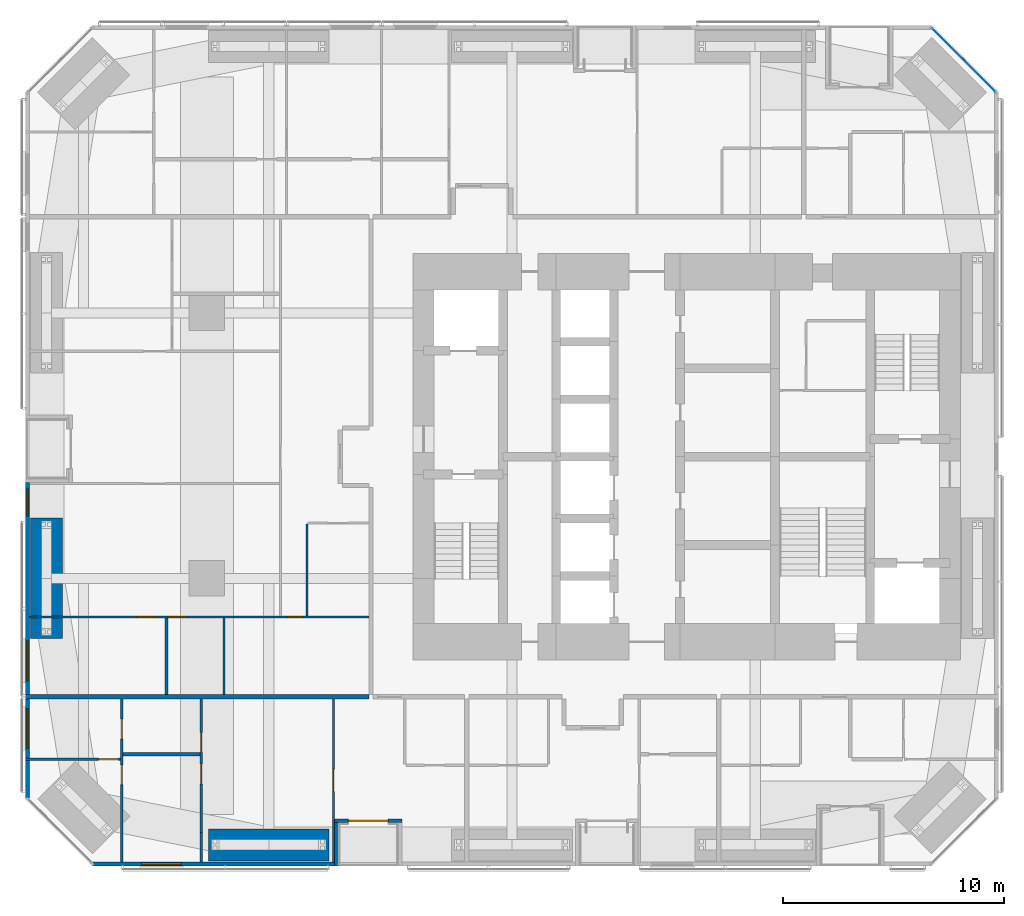
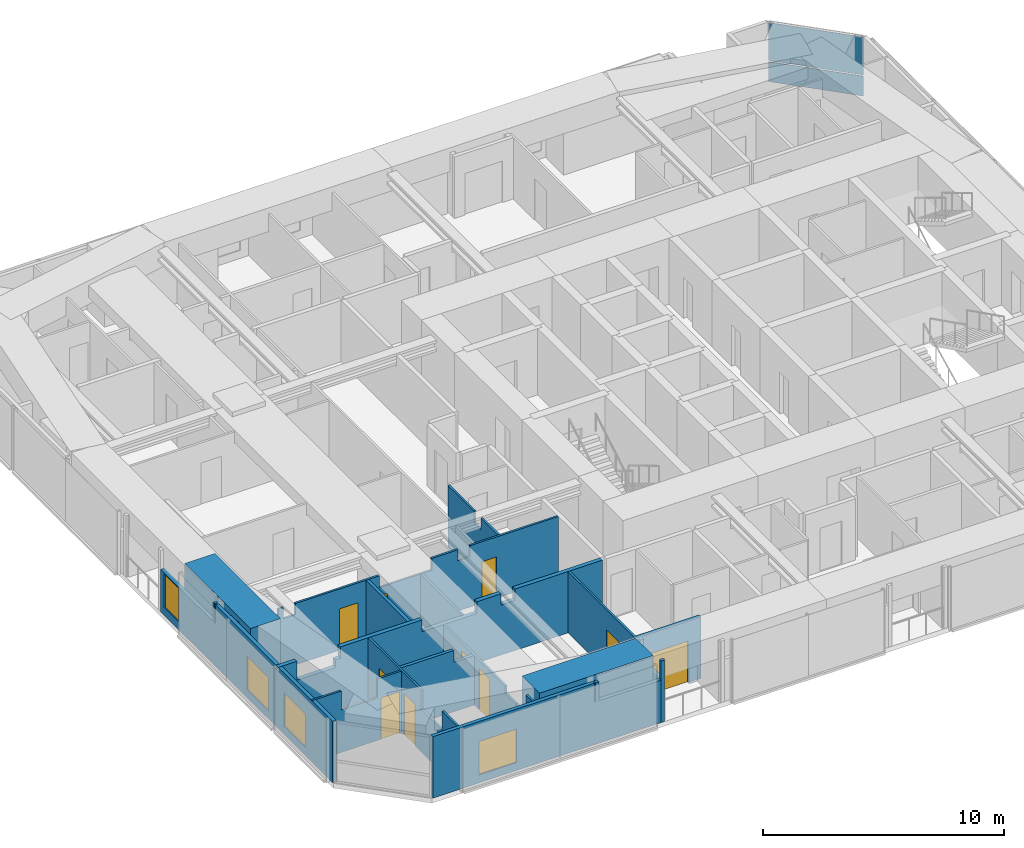
# One storey, part 16 of 23: 17 walls, 10 doors, 4 windows, 2 plates, 14 openings, 1 element without a shape of its own.
"""IFC4 building model written with IfcOpenShell, lengths in metres."""

import ifcopenshell
import ifcopenshell.guid

model = None  # the IFC model being written
_history = None  # IfcOwnerHistory: only IFC2X3 demands one
_inside = {}  # id of a spatial element -> (the spatial element, [elements in it])
_under = {}  # id of a project, library or spatial element -> (it, [spatial elements below it])
_declared = {}  # id of a project -> (the project, [libraries it declares])
_typed = {}  # id of a type object -> (the type object, [elements of that type])
_made_of = {}  # id of a material, layer set ... -> (it, [elements and type objects made of it])


def new_model(schema):
    """Start an empty IFC model of exactly this schema.

    Asked for "IFC4X3", IfcOpenShell would pick the latest addendum, in which some entities
    have other attributes; the version numbers below select the first issue.
    IFC2X3 requires an IfcOwnerHistory on every rooted entity: one is made here for all.
    """
    global model, _history
    if schema == "IFC4X3":
        model = ifcopenshell.file(schema_version=(4, 3, 0, 0))
    else:
        model = ifcopenshell.file(schema=schema)
    _inside.clear()
    _under.clear()
    _declared.clear()
    _typed.clear()
    _made_of.clear()
    _history = None
    if model.schema == "IFC2X3":
        org = make("IfcOrganization", Name="unknown")
        user = make(
            "IfcPersonAndOrganization",
            ThePerson=make("IfcPerson", FamilyName="unknown"),
            TheOrganization=org,
        )
        app = make(
            "IfcApplication",
            ApplicationDeveloper=org,
            Version="unknown",
            ApplicationFullName="unknown",
            ApplicationIdentifier="unknown",
        )
        _history = make(
            "IfcOwnerHistory",
            OwningUser=user,
            OwningApplication=app,
            ChangeAction="ADDED",
            CreationDate=0,
        )
    return model


def make(cls, **values):
    """One entity of the class cls with the attributes given. An attribute that is None is left unset."""
    return model.create_entity(
        cls, **{name: value for name, value in values.items() if value is not None}
    )


def rooted(cls, **values):
    """An entity with a GlobalId (a new one), such as an element, a storey or a relation."""
    return make(cls, GlobalId=ifcopenshell.guid.new(), OwnerHistory=_history, **values)


def si_unit(unit_type, name, prefix=None):
    """IfcSIUnit, for example si_unit("LENGTHUNIT", "METRE", prefix="MILLI")."""
    return make("IfcSIUnit", UnitType=unit_type, Prefix=prefix, Name=name)


def assignment(units):
    """IfcUnitAssignment: the units of a project."""
    return None if units is None else make("IfcUnitAssignment", Units=units)


def point(xyz):
    """IfcCartesianPoint."""
    return None if xyz is None else make("IfcCartesianPoint", Coordinates=xyz)


def direction(xyz):
    """IfcDirection."""
    return None if xyz is None else make("IfcDirection", DirectionRatios=xyz)


def frame(location, z_axis=None, x_axis=None):
    """IfcAxis2Placement3D, a coordinate frame: its origin and axes. An axis left out is left unset."""
    return make(
        "IfcAxis2Placement3D",
        Location=point(location),
        Axis=direction(z_axis),
        RefDirection=direction(x_axis),
    )


def frame_2d(location, x_axis=None):
    """IfcAxis2Placement2D, a coordinate frame in the plane: its origin and x axis."""
    return make(
        "IfcAxis2Placement2D", Location=point(location), RefDirection=direction(x_axis)
    )


def origin():
    """The frame at (0, 0, 0) with its axes left unset."""
    return frame((0.0, 0.0, 0.0))


def origin_2d():
    """The frame at (0, 0) in the plane with its x axis left unset."""
    return frame_2d((0.0, 0.0))


def place(relative_to, where):
    """IfcLocalPlacement: puts the frame where relative to a parent placement (None: the world)."""
    return make(
        "IfcLocalPlacement", PlacementRelTo=relative_to, RelativePlacement=where
    )


def context(
    kind, dimensions, precision=None, world=None, true_north=None, identifier=None
):
    """IfcGeometricRepresentationContext, for example the 3D "Model" context."""
    return make(
        "IfcGeometricRepresentationContext",
        ContextIdentifier=identifier,
        ContextType=kind,
        CoordinateSpaceDimension=dimensions,
        Precision=precision,
        WorldCoordinateSystem=world,
        TrueNorth=true_north,
    )


def subcontext(parent, identifier, kind, view, scale=None):
    """IfcGeometricRepresentationSubContext, for example "Body" below "Model"."""
    return make(
        "IfcGeometricRepresentationSubContext",
        ContextIdentifier=identifier,
        ContextType=kind,
        ParentContext=parent,
        TargetScale=scale,
        TargetView=view,
    )


def project(units=None, contexts=None):
    """IfcProject with its units and contexts."""
    return rooted(
        "IfcProject",
        Name="project",
        RepresentationContexts=contexts,
        UnitsInContext=assignment(units),
    )


def spatial(cls, under=None, at=None, **own):
    """A site, building, storey or space (cls), placed at a placement, below another one or the project."""
    s = rooted(cls, ObjectPlacement=at, **own)
    if under is not None:
        _under.setdefault(under.id(), (under, []))[1].append(s)
    return s


def polyline(points):
    """IfcPolyline through the points."""
    return make("IfcPolyline", Points=[point(p) for p in points])


def profile(cls, at=None, kind="AREA", **sizes):
    """A parametric profile (cls). Its sizes go by their IFC names, for example OverallWidth=200.0."""
    return make(cls, ProfileType=kind, Position=at, **sizes)


def rectangle(**sizes):
    """IfcRectangleProfileDef."""
    return profile("IfcRectangleProfileDef", **sizes)


def outline(outer, holes=None, kind="AREA"):
    """IfcArbitraryClosedProfileDef: a profile drawn as a closed curve; with holes, ...WithVoids."""
    if holes is None:
        return make("IfcArbitraryClosedProfileDef", ProfileType=kind, OuterCurve=outer)
    return make(
        "IfcArbitraryProfileDefWithVoids",
        ProfileType=kind,
        OuterCurve=outer,
        InnerCurves=holes,
    )


def extrude(swept, where, along, depth):
    """IfcExtrudedAreaSolid: the profile swept, set in the frame where, extruded along a direction by depth."""
    return make(
        "IfcExtrudedAreaSolid",
        SweptArea=swept,
        Position=where,
        ExtrudedDirection=direction(along),
        Depth=depth,
    )


def shape(context_of_items, identifier, shape_type, items):
    """IfcShapeRepresentation: the items that make up one representation, for example the "Body"."""
    return make(
        "IfcShapeRepresentation",
        ContextOfItems=context_of_items,
        RepresentationIdentifier=identifier,
        RepresentationType=shape_type,
        Items=items,
    )


def material(Name=None, Category=None):
    """IfcMaterial."""
    return make("IfcMaterial", Name=Name, Category=Category)


def layer(
    of_material, thickness, ventilated=None, Name=None, Category=None, Priority=None
):
    """IfcMaterialLayer: one layer of a wall or slab, of a material (None: an air gap)."""
    return make(
        "IfcMaterialLayer",
        Material=of_material,
        LayerThickness=thickness,
        IsVentilated=ventilated,
        Name=Name,
        Category=Category,
        Priority=Priority,
    )


def layer_set(layers, Name=None):
    """IfcMaterialLayerSet."""
    return make("IfcMaterialLayerSet", MaterialLayers=layers, LayerSetName=Name)


def constituent(of_material, Name=None, Category=None, fraction=None):
    """IfcMaterialConstituent: one of the materials an element consists of."""
    return make(
        "IfcMaterialConstituent",
        Name=Name,
        Material=of_material,
        Fraction=fraction,
        Category=Category,
    )


def constituent_set(constituents=None, Name=None):
    """IfcMaterialConstituentSet."""
    return make(
        "IfcMaterialConstituentSet", Name=Name, MaterialConstituents=constituents
    )


def made_of(thing, what):
    """Note that an element or type object is made of a material, layer set ...; save() writes the relation."""
    if what is not None:
        _made_of.setdefault(what.id(), (what, []))[1].append(thing)
    return thing


def type_object(cls, material=None, **own):
    """A type object (cls), such as IfcWallType, which elements share."""
    return made_of(rooted(cls, **own), material)


def element(
    cls,
    number,
    at=None,
    inside=None,
    cuts=None,
    type_object=None,
    material=None,
    context=None,
    identifier="Body",
    shape_type=None,
    held_by="IfcProductDefinitionShape",
    body=None,
    shapes=None,
    **own,
):
    """One element of the class cls, such as IfcWall. Its Tag is "e" and its number.

    at: its placement. inside: the storey or other place that contains it. cuts: it is an
    opening in that element (IfcRelVoidsElement). A single representation is given by context,
    identifier, shape_type and body (its items); several are given by shapes. held_by: the class
    of the entity that holds the representations. save() writes the other relations.
    """
    e = rooted(cls, Tag="e%d" % number, ObjectPlacement=at, **own)
    if body is not None:
        shapes = [shape(context, identifier, shape_type, body)]
    if shapes is not None:
        e.Representation = make(held_by, Representations=shapes)
    if inside is not None:
        _inside.setdefault(inside.id(), (inside, []))[1].append(e)
    if cuts is not None:
        rooted(
            "IfcRelVoidsElement", RelatingBuildingElement=cuts, RelatedOpeningElement=e
        )
    if type_object is not None:
        _typed.setdefault(type_object.id(), (type_object, []))[1].append(e)
    return made_of(e, material)


def fill(opening, filler):
    """IfcRelFillsElement: the door or window that sits in an opening."""
    return rooted(
        "IfcRelFillsElement",
        RelatingOpeningElement=opening,
        RelatedBuildingElement=filler,
    )


def aggregate(whole, parts):
    """IfcRelAggregates: a whole, such as a stair, and the parts it consists of."""
    return rooted("IfcRelAggregates", RelatingObject=whole, RelatedObjects=parts)


def save(model, path):
    """Write the relations noted so far, then the file.

    IfcRelAggregates (storeys below a building ...), IfcRelContainedInSpatialStructure (elements
    in a storey), IfcRelDefinesByType, IfcRelAssociatesMaterial and IfcRelDeclares: one each for
    every whole, place, type object, material and project.
    """
    for whole, parts in _under.values():
        aggregate(whole, parts)
    for where, things in _inside.values():
        rooted(
            "IfcRelContainedInSpatialStructure",
            RelatedElements=things,
            RelatingStructure=where,
        )
    for kind, things in _typed.values():
        rooted("IfcRelDefinesByType", RelatedObjects=things, RelatingType=kind)
    for what, things in _made_of.values():
        rooted("IfcRelAssociatesMaterial", RelatedObjects=things, RelatingMaterial=what)
    for by, libraries in _declared.values():
        rooted("IfcRelDeclares", RelatingContext=by, RelatedDefinitions=libraries)
    model.write(path)


model = new_model("IFC4")

# Units and contexts
model_context = context("Model", 3, precision=1e-05, world=origin(), true_north=direction((0.0, 1.0)))
body_context = subcontext(model_context, "Body", "Model", "MODEL_VIEW")
ifc_project = project(units=[si_unit("LENGTHUNIT", "METRE"), si_unit("AREAUNIT", "SQUARE_METRE"), si_unit("VOLUMEUNIT", "CUBIC_METRE"), si_unit("PLANEANGLEUNIT", "RADIAN"), si_unit("MASSUNIT", "GRAM", prefix="KILO")], contexts=[model_context])

# Site, building, storey
site_placement = place(None, origin())
site = spatial("IfcSite", under=ifc_project, at=site_placement, CompositionType="ELEMENT")
building_placement = place(site_placement, origin())
building = spatial("IfcBuilding", under=site, at=building_placement, Name="Jalousie Tower", CompositionType="ELEMENT")
storey_placement = place(building_placement, frame((0.0, 0.0, 31.050048828125)))
storey = spatial("IfcBuildingStorey", under=building, at=storey_placement, Name="L07", CompositionType="ELEMENT", Elevation=31.050048828125)

# Curtain wall, plates
ifc_material_1 = material(Name="Aluminium curtain wall", Category="aluminium")
curtain_wall_type = type_object("IfcCurtainWallType", Name="CORNER WINDOW WALL", PredefinedType="USERDEFINED", material=ifc_material_1)
curtain_wall_placement = place(storey_placement, origin())
curtain_wall = element("IfcCurtainWall", 1, at=curtain_wall_placement, inside=storey, type_object=curtain_wall_type, Name="Corner Window Wall L07 4", ObjectType="CORNER WINDOW WALL", PredefinedType="USERDEFINED")
ifc_material_2 = material(Name="Laminated impact-rated spandrel glass", Category="glass")
ifc_layer_1 = layer(ifc_material_2, 0.028076171875)
ifc_layer_set_1 = layer_set([ifc_layer_1], Name="Laminated impact-rated spandrel glass")
plate_type = type_object("IfcPlateType", Name="CORNER WINDOW WALL PANEL", PredefinedType="CURTAIN_PANEL", material=ifc_layer_set_1)
plate_1_placement = place(storey_placement, frame((44.4306640625, 36.4306640625, 0.06005859375), z_axis=(0.0, 0.0, 1.0), x_axis=(-0.707106781187, 0.707106781187, 0.0)))
plate_1 = element("IfcPlate", 2, at=plate_1_placement, type_object=plate_type, Name="CW-C panel 1.1", PredefinedType="CURTAIN_PANEL", context=body_context, shape_type="SweptSolid", body=[
    extrude(rectangle(XDim=4.071533203125, YDim=0.028076171875, at=origin_2d()), origin(), (0.0, 0.0, 1.0), 1.010009765625),
])
plate_2_placement = place(storey_placement, frame((44.4306640625, 36.4306640625, 1.1298828125), z_axis=(0.0, 0.0, 1.0), x_axis=(-0.707106781187, 0.707106781187, 0.0)))
plate_2 = element("IfcPlate", 3, at=plate_2_placement, type_object=plate_type, Name="CW-C panel 1.2", PredefinedType="CURTAIN_PANEL", context=body_context, shape_type="SweptSolid", body=[
    extrude(rectangle(XDim=4.071533203125, YDim=0.028076171875, at=origin_2d()), origin(), (0.0, 0.0, 1.0), 1.919921875),
])
aggregate(curtain_wall, [plate_1, plate_2])

# Walls
ifc_material_3 = material(Name="Concrete block ASTM C90", Category="concrete")
ifc_constituent_1 = constituent(ifc_material_3, Name="Body")
ifc_material_4 = material(Name="Render")
ifc_constituent_2 = constituent(ifc_material_4, Name="Finish")
ifc_constituent_set_1 = constituent_set(constituents=[ifc_constituent_1, ifc_constituent_2])
wall_type_1 = type_object("IfcWallType", Name="BATHROOM WALL 150", PredefinedType="PLUMBINGWALL", material=ifc_constituent_set_1)
wall_1_placement = place(storey_placement, frame((6.39990234375, 5.050048828125, 0.0), z_axis=(0.0, 0.0, 1.0), x_axis=(1.0, 0.0, 0.0)))
element("IfcWall", 4, at=wall_1_placement, inside=storey, type_object=wall_type_1, Name="Bathroom Wall 150 L07", PredefinedType="PLUMBINGWALL", context=body_context, shape_type="SweptSolid", body=[
    extrude(outline(polyline([(0.0, 0.0), (3.5, 0.0), (3.5, 3.10986328125), (3.5, 2.510009765625), (2.514892578125, 2.510009765625), (2.514892578125, 3.10986328125), (0.0, 3.10986328125), (0.0, 0.0)])), frame((0.0, 0.074951171875, 0.0), z_axis=(0.0, -1.0, 0.0), x_axis=(1.0, 0.0, 0.0)), (0.0, 0.0, 1.0), 0.14990234375),
])
wall_2_placement = place(storey_placement, frame((8.375, 7.75, 0.0), z_axis=(0.0, 0.0, 1.0), x_axis=(0.0, 1.0, 0.0)))
element("IfcWall", 5, at=wall_2_placement, inside=storey, type_object=wall_type_1, Name="Bathroom Wall 150 L07", PredefinedType="PLUMBINGWALL", context=body_context, shape_type="SweptSolid", body=[
    extrude(rectangle(XDim=3.449951171875, YDim=0.14990234375, at=frame_2d((1.72509765625, 0.0))), origin(), (0.0, 0.0, 1.0), 3.10986328125),
])

# Wall, opening, window
ifc_material_5 = material(Name="Concrete f'c 40 MPa", Category="concrete")
ifc_constituent_3 = constituent(ifc_material_5, Name="Body")
ifc_material_6 = material(Name="Render, pastel coral")
ifc_constituent_4 = constituent(ifc_material_6, Name="Finish")
ifc_constituent_set_2 = constituent_set(constituents=[ifc_constituent_3, ifc_constituent_4])
wall_type_2 = type_object("IfcWallType", Name="EXTERNAL WALL 175 CORAL RENDER", PredefinedType="SOLIDWALL", material=ifc_constituent_set_2)
wall_3_placement = place(storey_placement, frame((5.05126953125, 0.08740234375, 0.0), z_axis=(0.0, 0.0, 1.0), x_axis=(1.0, 0.0, 0.0)))
wall_3 = element("IfcWall", 6, at=wall_3_placement, inside=storey, type_object=wall_type_2, Name="External Wall 175 Coral Render L07", PredefinedType="SOLIDWALL", context=body_context, shape_type="SweptSolid", body=[
    extrude(outline(polyline([(0.0, 0.0), (10.923828125, 0.0), (10.923583984375, 2.14990234375), (7.94873046875, 2.14990234375), (7.94873046875, 3.10986328125), (7.79296875, 3.10986328125), (7.79296875, 2.14990234375), (7.74462890625, 2.14990234375), (7.74462890625, 3.10986328125), (0.0, 3.10986328125), (0.0, 0.0)])), frame((0.0, 0.08740234375, 0.0), z_axis=(0.0, -1.0, 0.0), x_axis=(1.0, 0.0, 0.0)), (0.0, 0.0, 1.0), 0.175048828125),
])
opening_1_placement = place(wall_3_placement, frame((2.19873046875, 0.0, 0.39990234375)))
opening_1 = element("IfcOpeningElement", 7, at=opening_1_placement, cuts=wall_3, Name="Opening W-BED170", PredefinedType="OPENING", context=body_context, shape_type="SweptSolid", body=[
    extrude(rectangle(XDim=1.800048828125, YDim=1.699951171875, at=frame_2d((0.89990234375, 0.85009765625))), frame((0.0, 0.097412109375, 0.0), z_axis=(0.0, -1.0, 0.0), x_axis=(1.0, 0.0, 0.0)), (0.0, 0.0, 1.0), 0.195068359375),
])
ifc_material_7 = material(Name="Aluminium frame, impact-rated glazing", Category="aluminium")
window_type_1 = type_object("IfcWindowType", Name="WINDOW BED 1800x1700", PartitioningType="SINGLE_PANEL", PredefinedType="WINDOW", material=ifc_material_7)
window_1_placement = place(opening_1_placement, origin())
window_1 = element("IfcWindow", 8, at=window_1_placement, inside=storey, type_object=window_type_1, Name="Apartment 0701 bedroom 2 window", OverallHeight=1.699951171875, OverallWidth=1.800048828125, PartitioningType="SINGLE_PANEL", PredefinedType="WINDOW", context=body_context, shape_type="SweptSolid", body=[
    extrude(rectangle(XDim=1.800048828125, YDim=1.699951171875, at=frame_2d((0.89990234375, 0.85009765625))), frame((0.0, 0.030029296875, 0.0), z_axis=(0.0, -1.0, 0.0), x_axis=(1.0, 0.0, 0.0)), (0.0, 0.0, 1.0), 0.06005859375),
])
fill(opening_1, window_1)

# Wall, opening, door
wall_4_placement = place(storey_placement, frame((15.97509765625, 2.03759765625, 0.0), z_axis=(0.0, 0.0, 1.0), x_axis=(1.0, 0.0, 0.0)))
wall_4 = element("IfcWall", 9, at=wall_4_placement, inside=storey, type_object=wall_type_2, Name="External Wall 175 Coral Render L07", PredefinedType="SOLIDWALL", context=body_context, shape_type="SweptSolid", body=[
    extrude(rectangle(XDim=3.0498046875, YDim=0.175048828125, at=frame_2d((1.52490234375, 0.0))), origin(), (0.0, 0.0, 1.0), 3.10986328125),
])
opening_2_placement = place(wall_4_placement, frame((0.625, 0.0, 0.0)))
opening_2 = element("IfcOpeningElement", 10, at=opening_2_placement, cuts=wall_4, Name="Opening D-BAL21", PredefinedType="OPENING", context=body_context, shape_type="SweptSolid", body=[
    extrude(rectangle(XDim=1.800048828125, YDim=2.10009765625, at=frame_2d((0.89990234375, 1.050048828125))), frame((0.0, 0.097412109375, 0.0), z_axis=(0.0, -1.0, 0.0), x_axis=(1.0, 0.0, 0.0)), (0.0, 0.0, 1.0), 0.195068359375),
])
ifc_material_8 = material(Name="Aluminium frame, impact-rated glazing", Category="aluminium")
door_type_1 = type_object("IfcDoorType", Name="BALCONY DOOR 1800x2100", OperationType="SLIDING_TO_LEFT", PredefinedType="DOOR", material=ifc_material_8)
door_1_placement = place(opening_2_placement, origin())
door_1 = element("IfcDoor", 11, at=door_1_placement, inside=storey, type_object=door_type_1, Name="Apartment 0701 living room loggia door", OperationType="SLIDING_TO_LEFT", OverallHeight=2.10009765625, OverallWidth=1.800048828125, PredefinedType="DOOR", context=body_context, shape_type="SweptSolid", body=[
    extrude(rectangle(XDim=1.800048828125, YDim=2.10009765625, at=frame_2d((0.89990234375, 1.050048828125))), frame((0.0, 0.02490234375, 0.0), z_axis=(0.0, -1.0, 0.0), x_axis=(1.0, 0.0, 0.0)), (0.0, 0.0, 1.0), 0.050048828125),
])
fill(opening_2, door_1)

# Wall
wall_5_placement = place(storey_placement, frame((16.0625, 0.0, 0.0), z_axis=(0.0, 0.0, 1.0), x_axis=(0.0, 1.0, 0.0)))
element("IfcWall", 12, at=wall_5_placement, inside=storey, type_object=wall_type_2, Name="External Wall 175 Coral Render L07", PredefinedType="SOLIDWALL", context=body_context, shape_type="SweptSolid", body=[
    extrude(outline(polyline([(0.0, 0.0), (1.949951171875, 0.0), (1.949951171875, 3.10986328125), (1.75, 3.10986328125), (1.75, 2.14990234375), (0.14990234375, 2.14990234375), (0.14990234375, 3.10986328125), (0.0, 3.10986328125), (0.0, 0.0)])), frame((0.0, 0.08740234375, 0.0), z_axis=(0.0, -1.0, 0.0), x_axis=(1.0, 0.0, 0.0)), (0.0, 0.0, 1.0), 0.175048828125),
])

# Wall, openings, windows
wall_6_placement = place(storey_placement, frame((2.08740234375, 17.333251953125, 0.0), z_axis=(0.0, 0.0, 1.0), x_axis=(0.0, -1.0, 0.0)))
wall_6 = element("IfcWall", 13, at=wall_6_placement, inside=storey, type_object=wall_type_2, Name="External Wall 175 Coral Render L07", PredefinedType="SOLIDWALL", context=body_context, shape_type="SweptSolid", body=[
    extrude(outline(polyline([(0.0, 0.0), (14.281982421875, 0.0), (14.281982421875, 3.10986328125), (4.552001953125, 3.10986328125), (4.552001953125, 2.14990234375), (4.458984375, 2.14990234375), (4.458984375, 3.10986328125), (4.333251953125, 3.10986328125), (4.333251953125, 2.14990234375), (0.0, 2.14990234375), (0.0, 0.0)])), frame((0.0, 0.08740234375, 0.0), z_axis=(0.0, -1.0, 0.0), x_axis=(1.0, 0.0, 0.0)), (0.0, 0.0, 1.0), 0.175048828125),
])
opening_3_placement = place(wall_6_placement, frame((0.300048828125, 0.0, 0.39990234375)))
opening_3 = element("IfcOpeningElement", 14, at=opening_3_placement, cuts=wall_6, Name="Opening W-COR170", PredefinedType="OPENING", context=body_context, shape_type="SweptSolid", body=[
    extrude(rectangle(XDim=1.199951171875, YDim=1.699951171875, at=frame_2d((0.60009765625, 0.85009765625))), frame((0.0, 0.097412109375, 0.0), z_axis=(0.0, -1.0, 0.0), x_axis=(1.0, 0.0, 0.0)), (0.0, 0.0, 1.0), 0.195068359375),
])
opening_4_placement = place(wall_6_placement, frame((7.158203125, 0.0, 0.39990234375)))
opening_4 = element("IfcOpeningElement", 15, at=opening_4_placement, cuts=wall_6, Name="Opening W-BED170", PredefinedType="OPENING", context=body_context, shape_type="SweptSolid", body=[
    extrude(rectangle(XDim=1.800048828125, YDim=1.699951171875, at=frame_2d((0.89990234375, 0.85009765625))), frame((0.0, 0.097412109375, 0.0), z_axis=(0.0, -1.0, 0.0), x_axis=(1.0, 0.0, 0.0)), (0.0, 0.0, 1.0), 0.195068359375),
])
opening_5_placement = place(wall_6_placement, frame((10.224609375, 0.0, 0.39990234375)))
opening_5 = element("IfcOpeningElement", 16, at=opening_5_placement, cuts=wall_6, Name="Opening W-BED170", PredefinedType="OPENING", context=body_context, shape_type="SweptSolid", body=[
    extrude(rectangle(XDim=1.800048828125, YDim=1.699951171875, at=frame_2d((0.89990234375, 0.85009765625))), frame((0.0, 0.097412109375, 0.0), z_axis=(0.0, -1.0, 0.0), x_axis=(1.0, 0.0, 0.0)), (0.0, 0.0, 1.0), 0.195068359375),
])
window_2_placement = place(opening_4_placement, origin())
window_2 = element("IfcWindow", 17, at=window_2_placement, inside=storey, type_object=window_type_1, Name="Apartment 0706 bedroom 1 window", OverallHeight=1.699951171875, OverallWidth=1.800048828125, PartitioningType="SINGLE_PANEL", PredefinedType="WINDOW", context=body_context, shape_type="SweptSolid", body=[
    extrude(rectangle(XDim=1.800048828125, YDim=1.699951171875, at=frame_2d((0.89990234375, 0.85009765625))), frame((0.0, 0.030029296875, 0.0), z_axis=(0.0, -1.0, 0.0), x_axis=(1.0, 0.0, 0.0)), (0.0, 0.0, 1.0), 0.06005859375),
])
fill(opening_4, window_2)
window_3_placement = place(opening_5_placement, origin())
window_3 = element("IfcWindow", 18, at=window_3_placement, inside=storey, type_object=window_type_1, Name="Apartment 0701 bedroom 1 window", OverallHeight=1.699951171875, OverallWidth=1.800048828125, PartitioningType="SINGLE_PANEL", PredefinedType="WINDOW", context=body_context, shape_type="SweptSolid", body=[
    extrude(rectangle(XDim=1.800048828125, YDim=1.699951171875, at=frame_2d((0.89990234375, 0.85009765625))), frame((0.0, 0.030029296875, 0.0), z_axis=(0.0, -1.0, 0.0), x_axis=(1.0, 0.0, 0.0)), (0.0, 0.0, 1.0), 0.06005859375),
])
fill(opening_5, window_3)
ifc_material_9 = material(Name="Aluminium frame, impact-rated glazing", Category="aluminium")
window_type_2 = type_object("IfcWindowType", Name="WINDOW COR 1200x1700", PartitioningType="SINGLE_PANEL", PredefinedType="WINDOW", material=ifc_material_9)
window_4_placement = place(opening_3_placement, origin())
window_4 = element("IfcWindow", 19, at=window_4_placement, inside=storey, type_object=window_type_2, Name="Apartment 0706 dining room window", OverallHeight=1.699951171875, OverallWidth=1.199951171875, PartitioningType="SINGLE_PANEL", PredefinedType="WINDOW", context=body_context, shape_type="SweptSolid", body=[
    extrude(rectangle(XDim=1.199951171875, YDim=1.699951171875, at=frame_2d((0.60009765625, 0.85009765625))), frame((0.0, 0.030029296875, 0.0), z_axis=(0.0, -1.0, 0.0), x_axis=(1.0, 0.0, 0.0)), (0.0, 0.0, 1.0), 0.06005859375),
])
fill(opening_3, window_4)

# Wall, openings, doors
ifc_material_10 = material(Name="Gypsum board", Category="gypsum")
ifc_constituent_5 = constituent(ifc_material_10, Name="Body")
ifc_material_11 = material(Name="Light-gauge steel studs ASTM A653 SS Grade 33", Category="steel")
ifc_constituent_6 = constituent(ifc_material_11, Name="Framing")
ifc_constituent_set_3 = constituent_set(constituents=[ifc_constituent_5, ifc_constituent_6])
wall_type_3 = type_object("IfcWallType", Name="PARTITION 100", PredefinedType="PARTITIONING", material=ifc_constituent_set_3)
wall_7_placement = place(storey_placement, frame((6.35009765625, 0.175048828125, 0.0), z_axis=(0.0, 0.0, 1.0), x_axis=(0.0, 1.0, 0.0)))
wall_7 = element("IfcWall", 20, at=wall_7_placement, inside=storey, type_object=wall_type_3, Name="Partition 100 L07", PredefinedType="PARTITIONING", context=body_context, shape_type="SweptSolid", body=[
    extrude(outline(polyline([(0.0, 0.0), (7.375, 0.0), (7.375, 3.10986328125), (2.98828125, 3.10986328125), (2.98828125, 2.14990234375), (1.23388671875, 2.14990234375), (1.23388671875, 3.10986328125), (0.0, 3.10986328125), (0.0, 0.0)])), frame((0.0, 0.050048828125, 0.0), z_axis=(0.0, -1.0, 0.0), x_axis=(1.0, 0.0, 0.0)), (0.0, 0.0, 1.0), 0.10009765625),
])
opening_6_placement = place(wall_7_placement, frame((3.492431640625, 0.0, 0.0)))
opening_6 = element("IfcOpeningElement", 21, at=opening_6_placement, cuts=wall_7, Name="Opening D2", PredefinedType="OPENING", context=body_context, shape_type="SweptSolid", body=[
    extrude(rectangle(XDim=0.89990234375, YDim=2.10009765625, at=frame_2d((0.449951171875, 1.050048828125))), frame((0.0, 0.06005859375, 0.0), z_axis=(0.0, -1.0, 0.0), x_axis=(1.0, 0.0, 0.0)), (0.0, 0.0, 1.0), 0.1201171875),
])
opening_7_placement = place(wall_7_placement, frame((5.55859375, 0.0, 0.0)))
opening_7 = element("IfcOpeningElement", 22, at=opening_7_placement, cuts=wall_7, Name="Opening D3", PredefinedType="OPENING", context=body_context, shape_type="SweptSolid", body=[
    extrude(rectangle(XDim=0.89990234375, YDim=2.10009765625, at=frame_2d((0.449951171875, 1.050048828125))), frame((0.0, 0.06005859375, 0.0), z_axis=(0.0, -1.0, 0.0), x_axis=(1.0, 0.0, 0.0)), (0.0, 0.0, 1.0), 0.1201171875),
])
ifc_material_12 = material(Name="Timber door", Category="wood")
door_type_2 = type_object("IfcDoorType", Name="BATHROOM DOOR 900", OperationType="SINGLE_SWING_LEFT", PredefinedType="DOOR", material=ifc_material_12)
door_2_placement = place(opening_7_placement, frame((0.89990234375, 0.0, 0.0), z_axis=(0.0, 0.0, 1.0), x_axis=(-1.0, 0.0, 0.0)))
door_2 = element("IfcDoor", 23, at=door_2_placement, inside=storey, type_object=door_type_2, Name="Apartment 0701 bedroom 1 bathroom door", OperationType="SINGLE_SWING_RIGHT", OverallHeight=2.10009765625, OverallWidth=0.89990234375, PredefinedType="DOOR", context=body_context, shape_type="SweptSolid", body=[
    extrude(rectangle(XDim=0.89990234375, YDim=2.10009765625, at=frame_2d((0.449951171875, 1.050048828125))), frame((0.0, 0.02490234375, 0.0), z_axis=(0.0, -1.0, 0.0), x_axis=(1.0, 0.0, 0.0)), (0.0, 0.0, 1.0), 0.050048828125),
])
fill(opening_7, door_2)
ifc_material_13 = material(Name="Timber door", Category="wood")
door_type_3 = type_object("IfcDoorType", Name="BEDROOM DOOR 900", OperationType="SINGLE_SWING_LEFT", PredefinedType="DOOR", material=ifc_material_13)
door_3_placement = place(opening_6_placement, frame((0.89990234375, 0.0, 0.0), z_axis=(0.0, 0.0, 1.0), x_axis=(-1.0, 0.0, 0.0)))
door_3 = element("IfcDoor", 24, at=door_3_placement, inside=storey, type_object=door_type_3, Name="Apartment 0701 bedroom 1 door", OperationType="SINGLE_SWING_LEFT", OverallHeight=2.10009765625, OverallWidth=0.89990234375, PredefinedType="DOOR", context=body_context, shape_type="SweptSolid", body=[
    extrude(rectangle(XDim=0.89990234375, YDim=2.10009765625, at=frame_2d((0.449951171875, 1.050048828125))), frame((0.0, 0.02490234375, 0.0), z_axis=(0.0, -1.0, 0.0), x_axis=(1.0, 0.0, 0.0)), (0.0, 0.0, 1.0), 0.050048828125),
])
fill(opening_6, door_3)

# Wall
wall_8_placement = place(storey_placement, frame((9.949951171875, 0.175048828125, 0.0), z_axis=(0.0, 0.0, 1.0), x_axis=(0.0, 1.0, 0.0)))
element("IfcWall", 25, at=wall_8_placement, inside=storey, type_object=wall_type_3, Name="Partition 100 L07-A", PredefinedType="PARTITIONING", context=body_context, shape_type="SweptSolid", body=[
    extrude(outline(polyline([(0.0, 0.0), (1.337646484375, 0.0), (1.337646484375, 2.14990234375), (0.510498046875, 2.14990234375), (0.510498046875, 3.10986328125), (0.0, 3.10986328125), (0.0, 0.0)])), frame((0.0, 0.050048828125, 0.0), z_axis=(0.0, -1.0, 0.0), x_axis=(1.0, 0.0, 0.0)), (0.0, 0.0, 1.0), 0.10009765625),
])

# Wall, openings, doors
wall_9_placement = place(storey_placement, frame((9.949951171875, 1.5126953125, 0.0), z_axis=(0.0, 0.0, 1.0), x_axis=(0.0, 1.0, 0.0)))
wall_9 = element("IfcWall", 26, at=wall_9_placement, inside=storey, type_object=wall_type_3, Name="Partition 100 L07-B", PredefinedType="PARTITIONING", context=body_context, shape_type="SweptSolid", body=[
    extrude(outline(polyline([(0.0, 0.0), (6.037353515625, 0.0), (6.037353515625, 2.510009765625), (0.927490234375, 2.510009765625), (0.927490234375, 2.14990234375), (0.0, 2.14990234375), (0.0, 0.0)])), frame((0.0, 0.050048828125, 0.0), z_axis=(0.0, -1.0, 0.0), x_axis=(1.0, 0.0, 0.0)), (0.0, 0.0, 1.0), 0.10009765625),
])
opening_8_placement = place(wall_9_placement, frame((2.1875, 0.0, 0.0)))
opening_8 = element("IfcOpeningElement", 27, at=opening_8_placement, cuts=wall_9, Name="Opening D2", PredefinedType="OPENING", context=body_context, shape_type="SweptSolid", body=[
    extrude(rectangle(XDim=0.89990234375, YDim=2.10009765625, at=frame_2d((0.449951171875, 1.050048828125))), frame((0.0, 0.06005859375, 0.0), z_axis=(0.0, -1.0, 0.0), x_axis=(1.0, 0.0, 0.0)), (0.0, 0.0, 1.0), 0.1201171875),
])
opening_9_placement = place(wall_9_placement, frame((3.6123046875, 0.0, 0.0)))
opening_9 = element("IfcOpeningElement", 28, at=opening_9_placement, cuts=wall_9, Name="Opening D7", PredefinedType="OPENING", context=body_context, shape_type="SweptSolid", body=[
    extrude(rectangle(XDim=0.89990234375, YDim=2.10009765625, at=frame_2d((0.449951171875, 1.050048828125))), frame((0.0, 0.06005859375, 0.0), z_axis=(0.0, -1.0, 0.0), x_axis=(1.0, 0.0, 0.0)), (0.0, 0.0, 1.0), 0.1201171875),
])
door_4_placement = place(opening_8_placement, origin())
door_4 = element("IfcDoor", 29, at=door_4_placement, inside=storey, type_object=door_type_3, Name="Apartment 0701 bedroom 2 door", OperationType="SINGLE_SWING_RIGHT", OverallHeight=2.10009765625, OverallWidth=0.89990234375, PredefinedType="DOOR", context=body_context, shape_type="SweptSolid", body=[
    extrude(rectangle(XDim=0.89990234375, YDim=2.10009765625, at=frame_2d((0.449951171875, 1.050048828125))), frame((0.0, 0.02490234375, 0.0), z_axis=(0.0, -1.0, 0.0), x_axis=(1.0, 0.0, 0.0)), (0.0, 0.0, 1.0), 0.050048828125),
])
fill(opening_8, door_4)
ifc_material_14 = material(Name="Timber door", Category="wood")
door_type_4 = type_object("IfcDoorType", Name="INTERNAL DOOR 900", OperationType="SINGLE_SWING_LEFT", PredefinedType="DOOR", material=ifc_material_14)
door_5_placement = place(opening_9_placement, origin())
door_5 = element("IfcDoor", 30, at=door_5_placement, inside=storey, type_object=door_type_4, Name="Apartment 0701 bathroom door", OperationType="SINGLE_SWING_LEFT", OverallHeight=2.10009765625, OverallWidth=0.89990234375, PredefinedType="DOOR", context=body_context, shape_type="SweptSolid", body=[
    extrude(rectangle(XDim=0.89990234375, YDim=2.10009765625, at=frame_2d((0.449951171875, 1.050048828125))), frame((0.0, 0.02490234375, 0.0), z_axis=(0.0, -1.0, 0.0), x_axis=(1.0, 0.0, 0.0)), (0.0, 0.0, 1.0), 0.050048828125),
])
fill(opening_9, door_5)

# Wall, opening, door
wall_10_placement = place(storey_placement, frame((2.0, 4.8173828125, 0.0), z_axis=(0.0, 0.0, 1.0), x_axis=(1.0, 0.0, 0.0)))
wall_10 = element("IfcWall", 31, at=wall_10_placement, inside=storey, type_object=wall_type_3, Name="Partition 100 L07", PredefinedType="PARTITIONING", context=body_context, shape_type="SweptSolid", body=[
    extrude(outline(polyline([(0.0, 0.0), (4.300048828125, 0.0), (4.300048828125, 3.10986328125), (3.148193359375, 3.10986328125), (3.148193359375, 2.14990234375), (1.40576171875, 2.14990234375), (1.40576171875, 3.10986328125), (0.0, 3.10986328125), (0.0, 0.0)])), frame((0.0, 0.050048828125, 0.0), z_axis=(0.0, -1.0, 0.0), x_axis=(1.0, 0.0, 0.0)), (0.0, 0.0, 1.0), 0.10009765625),
])
opening_10_placement = place(wall_10_placement, frame((3.300048828125, 0.0, 0.0)))
opening_10 = element("IfcOpeningElement", 32, at=opening_10_placement, cuts=wall_10, Name="Opening D7", PredefinedType="OPENING", context=body_context, shape_type="SweptSolid", body=[
    extrude(rectangle(XDim=0.89990234375, YDim=2.10009765625, at=frame_2d((0.449951171875, 1.050048828125))), frame((0.0, 0.06005859375, 0.0), z_axis=(0.0, -1.0, 0.0), x_axis=(1.0, 0.0, 0.0)), (0.0, 0.0, 1.0), 0.1201171875),
])
door_6_placement = place(opening_10_placement, origin())
door_6 = element("IfcDoor", 33, at=door_6_placement, inside=storey, type_object=door_type_4, Name="Apartment 0701 bedroom 1 dressing hall door", OperationType="SINGLE_SWING_RIGHT", OverallHeight=2.10009765625, OverallWidth=0.89990234375, PredefinedType="DOOR", context=body_context, shape_type="SweptSolid", body=[
    extrude(rectangle(XDim=0.89990234375, YDim=2.10009765625, at=frame_2d((0.449951171875, 1.050048828125))), frame((0.0, 0.02490234375, 0.0), z_axis=(0.0, -1.0, 0.0), x_axis=(1.0, 0.0, 0.0)), (0.0, 0.0, 1.0), 0.050048828125),
])
fill(opening_10, door_6)

wall_11_placement = place(storey_placement, frame((15.925048828125, 0.175048828125, 0.0), z_axis=(0.0, 0.0, 1.0), x_axis=(0.0, 1.0, 0.0)))
wall_11 = element("IfcWall", 34, at=wall_11_placement, inside=storey, type_object=wall_type_3, Name="Partition 100 L07", PredefinedType="PARTITIONING", context=body_context, shape_type="SweptSolid", body=[
    extrude(outline(polyline([(0.0, 0.0), (7.375, 0.0), (7.375, 3.10986328125), (1.635009765625, 3.10986328125), (1.635009765625, 2.14990234375), (0.0, 2.14990234375), (0.0, 3.10986328125), (0.0, 0.0)])), frame((0.0, 0.050048828125, 0.0), z_axis=(0.0, -1.0, 0.0), x_axis=(1.0, 0.0, 0.0)), (0.0, 0.0, 1.0), 0.10009765625),
])
opening_11_placement = place(wall_11_placement, frame((3.1875, 0.0, 0.0)))
opening_11 = element("IfcOpeningElement", 35, at=opening_11_placement, cuts=wall_11, Name="Opening D6", PredefinedType="OPENING", context=body_context, shape_type="SweptSolid", body=[
    extrude(rectangle(XDim=1.0, YDim=2.10009765625, at=frame_2d((0.5, 1.050048828125))), frame((0.0, 0.06005859375, 0.0), z_axis=(0.0, -1.0, 0.0), x_axis=(1.0, 0.0, 0.0)), (0.0, 0.0, 1.0), 0.1201171875),
])
ifc_material_15 = material(Name="Timber door", Category="wood")
door_type_5 = type_object("IfcDoorType", Name="INTERNAL DOOR 1000", OperationType="SINGLE_SWING_LEFT", PredefinedType="DOOR", material=ifc_material_15)
door_7_placement = place(opening_11_placement, origin())
door_7 = element("IfcDoor", 36, at=door_7_placement, inside=storey, type_object=door_type_5, Name="Apartment 0701 dining room door", OperationType="SINGLE_SWING_LEFT", OverallHeight=2.10009765625, OverallWidth=1.0, PredefinedType="DOOR", context=body_context, shape_type="SweptSolid", body=[
    extrude(rectangle(XDim=1.0, YDim=2.10009765625, at=frame_2d((0.5, 1.050048828125))), frame((0.0, 0.02490234375, 0.0), z_axis=(0.0, -1.0, 0.0), x_axis=(1.0, 0.0, 0.0)), (0.0, 0.0, 1.0), 0.050048828125),
])
fill(opening_11, door_7)

# Wall, openings, doors
wall_12_placement = place(storey_placement, frame((2.175048828125, 11.25, 0.0), z_axis=(0.0, 0.0, 1.0), x_axis=(1.0, 0.0, 0.0)))
wall_12 = element("IfcWall", 37, at=wall_12_placement, inside=storey, type_object=wall_type_3, Name="Partition 100 L07", PredefinedType="PARTITIONING", context=body_context, shape_type="SweptSolid", body=[
    extrude(outline(polyline([(0.1875, 3.10986328125), (0.0, 3.10986328125), (0.0, 0.0), (0.52880859375, 0.0), (0.52880859375, 0.2626953125), (1.021240234375, 0.2626953125), (1.021240234375, 0.0), (15.35009765625, 0.0), (15.35009765625, 3.10986328125), (11.1123046875, 3.10986328125), (11.1123046875, 2.541015625), (10.53759765625, 2.541015625), (10.53759765625, 3.10986328125), (9.284912109375, 3.10986328125), (9.284912109375, 2.510009765625), (6.764892578125, 2.510009765625), (6.764892578125, 3.10986328125), (2.743896484375, 3.10986328125), (2.743896484375, 2.541015625), (2.169189453125, 2.541015625), (2.169189453125, 3.10986328125), (1.929931640625, 3.10986328125), (1.929931640625, 2.14990234375), (1.021240234375, 2.14990234375), (1.021240234375, 1.88720703125), (0.52880859375, 1.88720703125), (0.52880859375, 2.14990234375), (0.1875, 2.14990234375), (0.1875, 3.10986328125)])), frame((0.0, 0.050048828125, 0.0), z_axis=(0.0, -1.0, 0.0), x_axis=(1.0, 0.0, 0.0)), (0.0, 0.0, 1.0), 0.10009765625),
])
opening_12_placement = place(wall_12_placement, frame((4.85009765625, 0.0, 0.0)))
opening_12 = element("IfcOpeningElement", 38, at=opening_12_placement, cuts=wall_12, Name="Opening D2", PredefinedType="OPENING", context=body_context, shape_type="SweptSolid", body=[
    extrude(rectangle(XDim=0.89990234375, YDim=2.10009765625, at=frame_2d((0.449951171875, 1.050048828125))), frame((0.0, 0.06005859375, 0.0), z_axis=(0.0, -1.0, 0.0), x_axis=(1.0, 0.0, 0.0)), (0.0, 0.0, 1.0), 0.1201171875),
])
opening_13_placement = place(wall_12_placement, frame((6.25, 0.0, 0.0)))
opening_13 = element("IfcOpeningElement", 39, at=opening_13_placement, cuts=wall_12, Name="Opening D7", PredefinedType="OPENING", context=body_context, shape_type="SweptSolid", body=[
    extrude(rectangle(XDim=0.89990234375, YDim=2.10009765625, at=frame_2d((0.449951171875, 1.050048828125))), frame((0.0, 0.06005859375, 0.0), z_axis=(0.0, -1.0, 0.0), x_axis=(1.0, 0.0, 0.0)), (0.0, 0.0, 1.0), 0.1201171875),
])
opening_14_placement = place(wall_12_placement, frame((11.675048828125, 0.0, 0.0)))
opening_14 = element("IfcOpeningElement", 40, at=opening_14_placement, cuts=wall_12, Name="Opening D4", PredefinedType="OPENING", context=body_context, shape_type="SweptSolid", body=[
    extrude(rectangle(XDim=0.699951171875, YDim=2.10009765625, at=frame_2d((0.35009765625, 1.050048828125))), frame((0.0, 0.06005859375, 0.0), z_axis=(0.0, -1.0, 0.0), x_axis=(1.0, 0.0, 0.0)), (0.0, 0.0, 1.0), 0.1201171875),
])
door_8_placement = place(opening_12_placement, frame((0.89990234375, 0.0, 0.0), z_axis=(0.0, 0.0, 1.0), x_axis=(-1.0, 0.0, 0.0)))
door_8 = element("IfcDoor", 41, at=door_8_placement, inside=storey, type_object=door_type_3, Name="Apartment 0706 bedroom 1 door", OperationType="SINGLE_SWING_LEFT", OverallHeight=2.10009765625, OverallWidth=0.89990234375, PredefinedType="DOOR", context=body_context, shape_type="SweptSolid", body=[
    extrude(rectangle(XDim=0.89990234375, YDim=2.10009765625, at=frame_2d((0.449951171875, 1.050048828125))), frame((0.0, 0.02490234375, 0.0), z_axis=(0.0, -1.0, 0.0), x_axis=(1.0, 0.0, 0.0)), (0.0, 0.0, 1.0), 0.050048828125),
])
fill(opening_12, door_8)
door_9_placement = place(opening_13_placement, frame((0.89990234375, 0.0, 0.0), z_axis=(0.0, 0.0, 1.0), x_axis=(-1.0, 0.0, 0.0)))
door_9 = element("IfcDoor", 42, at=door_9_placement, inside=storey, type_object=door_type_4, Name="Apartment 0706 bathroom door", OperationType="SINGLE_SWING_RIGHT", OverallHeight=2.10009765625, OverallWidth=0.89990234375, PredefinedType="DOOR", context=body_context, shape_type="SweptSolid", body=[
    extrude(rectangle(XDim=0.89990234375, YDim=2.10009765625, at=frame_2d((0.449951171875, 1.050048828125))), frame((0.0, 0.02490234375, 0.0), z_axis=(0.0, -1.0, 0.0), x_axis=(1.0, 0.0, 0.0)), (0.0, 0.0, 1.0), 0.050048828125),
])
fill(opening_13, door_9)
ifc_material_16 = material(Name="Timber door", Category="wood")
door_type_6 = type_object("IfcDoorType", Name="STORE DOOR 700", OperationType="SINGLE_SWING_LEFT", PredefinedType="DOOR", material=ifc_material_16)
door_10_placement = place(opening_14_placement, frame((0.699951171875, 0.0, 0.0), z_axis=(0.0, 0.0, 1.0), x_axis=(-1.0, 0.0, 0.0)))
door_10 = element("IfcDoor", 43, at=door_10_placement, inside=storey, type_object=door_type_6, Name="Apartment 0706 store door", OperationType="SINGLE_SWING_RIGHT", OverallHeight=2.10009765625, OverallWidth=0.699951171875, PredefinedType="DOOR", context=body_context, shape_type="SweptSolid", body=[
    extrude(rectangle(XDim=0.699951171875, YDim=2.10009765625, at=frame_2d((0.35009765625, 1.050048828125))), frame((0.0, 0.02490234375, 0.0), z_axis=(0.0, -1.0, 0.0), x_axis=(1.0, 0.0, 0.0)), (0.0, 0.0, 1.0), 0.050048828125),
])
fill(opening_14, door_10)

# Walls
wall_13_placement = place(storey_placement, frame((10.97509765625, 7.75, 0.0), z_axis=(0.0, 0.0, 1.0), x_axis=(0.0, 1.0, 0.0)))
element("IfcWall", 44, at=wall_13_placement, inside=storey, type_object=wall_type_3, Name="Partition 100 L07", PredefinedType="PARTITIONING", context=body_context, shape_type="SweptSolid", body=[
    extrude(outline(polyline([(0.0, 0.0), (3.449951171875, 0.0), (3.449951171875, 3.10986328125), (3.449951171875, 2.510009765625), (0.0, 2.510009765625), (0.0, 3.10986328125), (0.0, 0.0)])), frame((0.0, 0.050048828125, 0.0), z_axis=(0.0, -1.0, 0.0), x_axis=(1.0, 0.0, 0.0)), (0.0, 0.0, 1.0), 0.10009765625),
])
wall_14_placement = place(storey_placement, frame((14.72509765625, 11.300048828125, 0.0), z_axis=(0.0, 0.0, 1.0), x_axis=(0.0, 1.0, 0.0)))
element("IfcWall", 45, at=wall_14_placement, inside=storey, type_object=wall_type_3, Name="Partition 100 L07", PredefinedType="PARTITIONING", context=body_context, shape_type="SweptSolid", body=[
    extrude(outline(polyline([(0.0, 0.0), (4.14990234375, 0.0), (4.14990234375, 3.10986328125), (1.9873046875, 3.10986328125), (1.9873046875, 2.541015625), (1.41259765625, 2.541015625), (1.41259765625, 3.10986328125), (0.0, 3.10986328125), (0.0, 0.0)])), frame((0.0, 0.050048828125, 0.0), z_axis=(0.0, -1.0, 0.0), x_axis=(1.0, 0.0, 0.0)), (0.0, 0.0, 1.0), 0.10009765625),
])
ifc_material_17 = material(Name="Concrete block ASTM C90", Category="concrete")
ifc_constituent_7 = constituent(ifc_material_17, Name="Body")
ifc_material_18 = material(Name="Render")
ifc_constituent_8 = constituent(ifc_material_18, Name="Finish")
ifc_constituent_set_4 = constituent_set(constituents=[ifc_constituent_7, ifc_constituent_8])
wall_type_4 = type_object("IfcWallType", Name="PARTY WALL 200", PredefinedType="PARTITIONING", material=ifc_constituent_set_4)
wall_15_placement = place(storey_placement, frame((2.0, 7.64990234375, 0.0), z_axis=(0.0, 0.0, 1.0), x_axis=(1.0, 0.0, 0.0)))
element("IfcWall", 46, at=wall_15_placement, inside=storey, type_object=wall_type_4, Name="Party Wall 200 L07", PredefinedType="PARTITIONING", context=body_context, shape_type="SweptSolid", body=[
    extrude(outline(polyline([(0.0, 0.0), (15.52490234375, 0.0), (15.52490234375, 3.10986328125), (11.33740234375, 3.10986328125), (11.33740234375, 2.541015625), (10.66259765625, 2.541015625), (10.66259765625, 3.10986328125), (9.510009765625, 3.10986328125), (9.510009765625, 2.510009765625), (6.889892578125, 2.510009765625), (6.889892578125, 3.10986328125), (2.96875, 3.10986328125), (2.96875, 2.541015625), (2.739501953125, 2.541015625), (2.739501953125, 2.14990234375), (0.895751953125, 2.14990234375), (0.895751953125, 3.10986328125), (0.0, 3.10986328125), (0.0, 0.0)])), frame((0.0, 0.10009765625, 0.0), z_axis=(0.0, -1.0, 0.0), x_axis=(1.0, 0.0, 0.0)), (0.0, 0.0, 1.0), 0.199951171875),
])
ifc_material_19 = material(Name="Concrete f'c 120 MPa", Category="concrete")
ifc_layer_2 = layer(ifc_material_19, 1.449951171875)
ifc_layer_set_2 = layer_set([ifc_layer_2], Name="Concrete f'c 120 MPa")
wall_type_5 = type_object("IfcWallType", Name="RC WALL PIER 1450", PredefinedType="SHEAR", material=ifc_layer_set_2)
for number, where, z_axis, x_axis, name in (
    (47, (10.27490234375, 0.949951171875, 0.0), (0.0, 0.0, 1.0), (1.0, 0.0, 0.0), "Wall pier 02 L07"),
    (48, (2.949951171875, 10.27490234375, 0.0), (0.0, 0.0, 1.0), (0.0, 1.0, 0.0), "Wall pier 14 L07"),
):
    element("IfcWall", number, at=place(storey_placement, frame(where, z_axis=z_axis, x_axis=x_axis)), inside=storey, type_object=wall_type_5, Name=name, PredefinedType="SHEAR", context=body_context, shape_type="SweptSolid", body=[
        extrude(rectangle(XDim=5.4501953125, YDim=1.449951171875, at=frame_2d((2.72509765625, 0.0))), origin(), (0.0, 0.0, 1.0), 3.349853515625),
    ])

save(model, "model.ifc")
